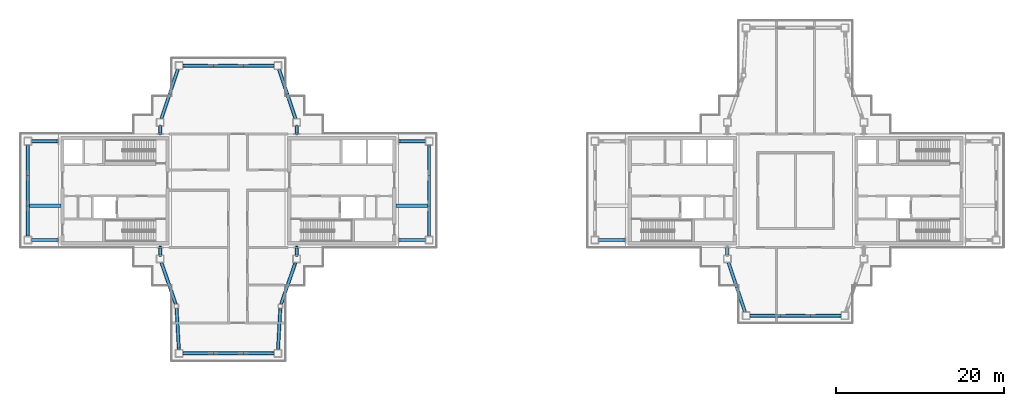
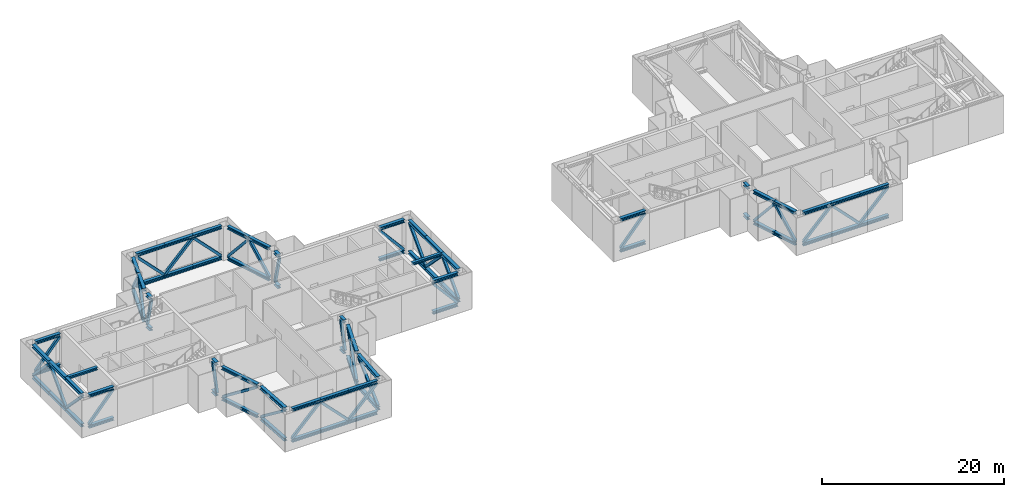
# One storey, part 3 of 18: 104 members, 2 beams.
"""IFC4 building model written with IfcOpenShell, lengths in metres."""

from ifc_helpers import new_model, si_unit, direction, frame, origin, origin_2d, place, context, subcontext, project, spatial, hollow_rectangle, i_section, extrude, material, material_profile, profile_set, type_object, element, save


model = new_model("IFC4")

# Units and contexts
model_context = context("Model", 3, precision=1e-05, world=origin(), true_north=direction((0.0, 1.0)))
body_context = subcontext(model_context, "Body", "Model", "MODEL_VIEW")
ifc_project = project(units=[si_unit("LENGTHUNIT", "METRE"), si_unit("AREAUNIT", "SQUARE_METRE"), si_unit("VOLUMEUNIT", "CUBIC_METRE"), si_unit("PLANEANGLEUNIT", "RADIAN"), si_unit("MASSUNIT", "GRAM", prefix="KILO")], contexts=[model_context])

# Site, building, storey
site_placement = place(None, origin())
site = spatial("IfcSite", under=ifc_project, at=site_placement, CompositionType="ELEMENT")
building_placement = place(site_placement, origin())
building = spatial("IfcBuilding", under=site, at=building_placement, Name="Shamsa Quay Exchange Towers", CompositionType="ELEMENT")
storey_placement = place(building_placement, frame((0.0, 0.0, 273.300048828125)))
storey = spatial("IfcBuildingStorey", under=building, at=storey_placement, Name="L66", CompositionType="ELEMENT", Elevation=273.300048828125)

# Members
ifc_material = material(Name="Steel S355", Category="steel")
ifc_material_profile_1 = material_profile(ifc_material, i_section(OverallWidth=0.40625, OverallDepth=0.416015625, WebThickness=0.02978515625, FlangeThickness=0.048095703125, at=origin_2d()), Name="W14x257")
ifc_profile_set_1 = profile_set([ifc_material_profile_1], Name="Steel S355")
member_type_1 = type_object("IfcMemberType", Name="Belt chord W14x257", PredefinedType="CHORD", material=ifc_profile_set_1)
for number, where, z_axis, x_axis, name in (
    (1, (-41.719970703125, -8.574951171875, 4.341796875), (0.32564688822, -0.945491461724, 0.0), (0.945491461724, 0.32564688822, 0.0), "Belt truss chord T1 L66 3"),
    (2, (-41.719970703125, -8.574951171875, 0.2080078125), (0.32564688822, -0.945491461724, 0.0), (0.945491461724, 0.32564688822, 0.0), "Belt truss chord T1 L66 3"),
):
    element("IfcMember", number, at=place(storey_placement, frame(where, z_axis=z_axis, x_axis=x_axis)), inside=storey, type_object=member_type_1, Name=name, PredefinedType="CHORD", context=body_context, shape_type="SweptSolid", body=[
        extrude(i_section(OverallWidth=0.40625, OverallDepth=0.416015625, WebThickness=0.02978515625, FlangeThickness=0.048095703125, at=origin_2d()), origin(), (0.0, 0.0, 1.0), 5.208984375),
    ])
for number, where, z_axis, x_axis, name in (
    (3, (-39.923583984375, -14.0, 4.341796875), (0.055483725883, -0.998459591652, 0.0), (0.998459591652, 0.055483725883, 0.0), "Belt truss chord T1 L66 4"),
    (4, (-39.923583984375, -14.0, 0.2080078125), (0.055483725883, -0.998459591652, 0.0), (0.998459591652, 0.055483725883, 0.0), "Belt truss chord T1 L66 4"),
):
    element("IfcMember", number, at=place(storey_placement, frame(where, z_axis=z_axis, x_axis=x_axis)), inside=storey, type_object=member_type_1, Name=name, PredefinedType="CHORD", context=body_context, shape_type="SweptSolid", body=[
        extrude(i_section(OverallWidth=0.40625, OverallDepth=0.416015625, WebThickness=0.02978515625, FlangeThickness=0.048095703125, at=origin_2d()), origin(), (0.0, 0.0, 1.0), 4.9326171875),
    ])
for number, where, z_axis, x_axis, name in (
    (5, (-39.175048828125, -19.375, 4.341796875), (1.0, 0.0, 0.0), (0.0, 1.0, 0.0), "Belt truss chord T1 L66 5"),
    (6, (-39.175048828125, -19.375, 0.2080078125), (1.0, 0.0, 0.0), (0.0, 1.0, 0.0), "Belt truss chord T1 L66 5"),
    (7, (-35.558349609375, -19.375, 4.341796875), (1.0, 0.0, 0.0), (0.0, 1.0, 0.0), "Belt truss chord T1 L66 5"),
    (8, (-35.558349609375, -19.375, 0.2080078125), (1.0, 0.0, 0.0), (0.0, 1.0, 0.0), "Belt truss chord T1 L66 5"),
    (9, (-31.941650390625, -19.375, 4.341796875), (1.0, 0.0, 0.0), (0.0, 1.0, 0.0), "Belt truss chord T1 L66 5"),
    (10, (-31.941650390625, -19.375, 0.2080078125), (1.0, 0.0, 0.0), (0.0, 1.0, 0.0), "Belt truss chord T1 L66 5"),
):
    element("IfcMember", number, at=place(storey_placement, frame(where, z_axis=z_axis, x_axis=x_axis)), inside=storey, type_object=member_type_1, Name=name, PredefinedType="CHORD", context=body_context, shape_type="SweptSolid", body=[
        extrude(i_section(OverallWidth=0.40625, OverallDepth=0.416015625, WebThickness=0.02978515625, FlangeThickness=0.048095703125, at=origin_2d()), origin(), (0.0, 0.0, 1.0), 3.61669921875),
    ])
for number, where, z_axis, x_axis, name in (
    (11, (-27.85009765625, -18.925048828125, 4.341796875), (0.055483725883, 0.998459591652, 0.0), (-0.998459591652, 0.055483725883, 0.0), "Belt truss chord T1 L66 6"),
    (12, (-27.85009765625, -18.925048828125, 0.2080078125), (0.055483725883, 0.998459591652, 0.0), (-0.998459591652, 0.055483725883, 0.0), "Belt truss chord T1 L66 6"),
):
    element("IfcMember", number, at=place(storey_placement, frame(where, z_axis=z_axis, x_axis=x_axis)), inside=storey, type_object=member_type_1, Name=name, PredefinedType="CHORD", context=body_context, shape_type="SweptSolid", body=[
        extrude(i_section(OverallWidth=0.40625, OverallDepth=0.416015625, WebThickness=0.02978515625, FlangeThickness=0.048095703125, at=origin_2d()), origin(), (0.0, 0.0, 1.0), 4.9326171875),
    ])
for number, where, z_axis, x_axis, name in (
    (13, (-27.476318359375, -13.5, 4.341796875), (0.32564688822, 0.945491461724, 0.0), (-0.945491461724, 0.32564688822, 0.0), "Belt truss chord T1 L66 7"),
    (14, (-27.476318359375, -13.5, 0.2080078125), (0.32564688822, 0.945491461724, 0.0), (-0.945491461724, 0.32564688822, 0.0), "Belt truss chord T1 L66 7"),
):
    element("IfcMember", number, at=place(storey_placement, frame(where, z_axis=z_axis, x_axis=x_axis)), inside=storey, type_object=member_type_1, Name=name, PredefinedType="CHORD", context=body_context, shape_type="SweptSolid", body=[
        extrude(i_section(OverallWidth=0.40625, OverallDepth=0.416015625, WebThickness=0.02978515625, FlangeThickness=0.048095703125, at=origin_2d()), origin(), (0.0, 0.0, 1.0), 5.208984375),
    ])
for number, where, z_axis, x_axis, name in (
    (15, (-9.875, -5.425048828125, 4.341796875), (0.0, 1.0, 0.0), (-1.0, 0.0, 0.0), "Belt truss chord T1 L66 10"),
    (16, (-9.875, -5.425048828125, 0.2080078125), (0.0, 1.0, 0.0), (-1.0, 0.0, 0.0), "Belt truss chord T1 L66 10"),
    (17, (-9.875, -1.808349609375, 4.341796875), (0.0, 1.0, 0.0), (-1.0, 0.0, 0.0), "Belt truss chord T1 L66 10"),
    (18, (-9.875, -1.808349609375, 0.2080078125), (0.0, 1.0, 0.0), (-1.0, 0.0, 0.0), "Belt truss chord T1 L66 10"),
    (19, (-9.875, 1.808349609375, 4.341796875), (0.0, 1.0, 0.0), (-1.0, 0.0, 0.0), "Belt truss chord T1 L66 10"),
    (20, (-9.875, 1.808349609375, 0.2080078125), (0.0, 1.0, 0.0), (-1.0, 0.0, 0.0), "Belt truss chord T1 L66 10"),
):
    element("IfcMember", number, at=place(storey_placement, frame(where, z_axis=z_axis, x_axis=x_axis)), inside=storey, type_object=member_type_1, Name=name, PredefinedType="CHORD", context=body_context, shape_type="SweptSolid", body=[
        extrude(i_section(OverallWidth=0.40625, OverallDepth=0.416015625, WebThickness=0.02978515625, FlangeThickness=0.048095703125, at=origin_2d()), origin(), (0.0, 0.0, 1.0), 3.61669921875),
    ])
for number, where, z_axis, x_axis, name in (
    (21, (-25.77490234375, 8.574951171875, 4.341796875), (-0.316251520413, 0.948675379588, 0.0), (-0.948675379588, -0.316251520413, 0.0), "Belt truss chord T1 L66 13"),
    (22, (-25.77490234375, 8.574951171875, 0.2080078125), (-0.316251520413, 0.948675379588, 0.0), (-0.948675379588, -0.316251520413, 0.0), "Belt truss chord T1 L66 13"),
    (23, (-26.75, 11.5, 4.341796875), (-0.316251520413, 0.948675379588, 0.0), (-0.948675379588, -0.316251520413, 0.0), "Belt truss chord T1 L66 13"),
    (24, (-26.75, 11.5, 0.2080078125), (-0.316251520413, 0.948675379588, 0.0), (-0.948675379588, -0.316251520413, 0.0), "Belt truss chord T1 L66 13"),
):
    element("IfcMember", number, at=place(storey_placement, frame(where, z_axis=z_axis, x_axis=x_axis)), inside=storey, type_object=member_type_1, Name=name, PredefinedType="CHORD", context=body_context, shape_type="SweptSolid", body=[
        extrude(i_section(OverallWidth=0.40625, OverallDepth=0.416015625, WebThickness=0.02978515625, FlangeThickness=0.048095703125, at=origin_2d()), origin(), (0.0, 0.0, 1.0), 3.083251953125),
    ])
for number, where, z_axis, x_axis, name in (
    (25, (-28.324951171875, 14.875, 4.341796875), (-1.0, 0.0, 0.0), (0.0, -1.0, 0.0), "Belt truss chord T1 L66 14"),
    (26, (-28.324951171875, 14.875, 0.2080078125), (-1.0, 0.0, 0.0), (0.0, -1.0, 0.0), "Belt truss chord T1 L66 14"),
    (27, (-31.941650390625, 14.875, 4.341796875), (-1.0, 0.0, 0.0), (0.0, -1.0, 0.0), "Belt truss chord T1 L66 14"),
    (28, (-31.941650390625, 14.875, 0.2080078125), (-1.0, 0.0, 0.0), (0.0, -1.0, 0.0), "Belt truss chord T1 L66 14"),
    (29, (-35.558349609375, 14.875, 4.341796875), (-1.0, 0.0, 0.0), (0.0, -1.0, 0.0), "Belt truss chord T1 L66 14"),
    (30, (-35.558349609375, 14.875, 0.2080078125), (-1.0, 0.0, 0.0), (0.0, -1.0, 0.0), "Belt truss chord T1 L66 14"),
):
    element("IfcMember", number, at=place(storey_placement, frame(where, z_axis=z_axis, x_axis=x_axis)), inside=storey, type_object=member_type_1, Name=name, PredefinedType="CHORD", context=body_context, shape_type="SweptSolid", body=[
        extrude(i_section(OverallWidth=0.40625, OverallDepth=0.416015625, WebThickness=0.02978515625, FlangeThickness=0.048095703125, at=origin_2d()), origin(), (0.0, 0.0, 1.0), 3.61669921875),
    ])
for number, where, z_axis, x_axis, name in (
    (31, (-39.77490234375, 14.425048828125, 4.341796875), (-0.316251520413, -0.948675379588, 0.0), (0.948675379588, -0.316251520413, 0.0), "Belt truss chord T1 L66 15"),
    (32, (-39.77490234375, 14.425048828125, 0.2080078125), (-0.316251520413, -0.948675379588, 0.0), (0.948675379588, -0.316251520413, 0.0), "Belt truss chord T1 L66 15"),
    (33, (-40.75, 11.5, 4.341796875), (-0.316251520413, -0.948675379588, 0.0), (0.948675379588, -0.316251520413, 0.0), "Belt truss chord T1 L66 15"),
    (34, (-40.75, 11.5, 0.2080078125), (-0.316251520413, -0.948675379588, 0.0), (0.948675379588, -0.316251520413, 0.0), "Belt truss chord T1 L66 15"),
):
    element("IfcMember", number, at=place(storey_placement, frame(where, z_axis=z_axis, x_axis=x_axis)), inside=storey, type_object=member_type_1, Name=name, PredefinedType="CHORD", context=body_context, shape_type="SweptSolid", body=[
        extrude(i_section(OverallWidth=0.40625, OverallDepth=0.416015625, WebThickness=0.02978515625, FlangeThickness=0.048095703125, at=origin_2d()), origin(), (0.0, 0.0, 1.0), 3.083251953125),
    ])
for number, where, z_axis, x_axis, name in (
    (35, (-57.625, 5.425048828125, 4.341796875), (0.0, -1.0, 0.0), (1.0, 0.0, 0.0), "Belt truss chord T1 L66 18"),
    (36, (-57.625, 5.425048828125, 0.2080078125), (0.0, -1.0, 0.0), (1.0, 0.0, 0.0), "Belt truss chord T1 L66 18"),
    (37, (-57.625, 1.808349609375, 4.341796875), (0.0, -1.0, 0.0), (1.0, 0.0, 0.0), "Belt truss chord T1 L66 18"),
    (38, (-57.625, 1.808349609375, 0.2080078125), (0.0, -1.0, 0.0), (1.0, 0.0, 0.0), "Belt truss chord T1 L66 18"),
    (39, (-57.625, -1.808349609375, 4.341796875), (0.0, -1.0, 0.0), (1.0, 0.0, 0.0), "Belt truss chord T1 L66 18"),
    (40, (-57.625, -1.808349609375, 0.2080078125), (0.0, -1.0, 0.0), (1.0, 0.0, 0.0), "Belt truss chord T1 L66 18"),
):
    element("IfcMember", number, at=place(storey_placement, frame(where, z_axis=z_axis, x_axis=x_axis)), inside=storey, type_object=member_type_1, Name=name, PredefinedType="CHORD", context=body_context, shape_type="SweptSolid", body=[
        extrude(i_section(OverallWidth=0.40625, OverallDepth=0.416015625, WebThickness=0.02978515625, FlangeThickness=0.048095703125, at=origin_2d()), origin(), (0.0, 0.0, 1.0), 3.61669921875),
    ])
for number, where, z_axis, x_axis, name in (
    (41, (25.77490234375, -8.574951171875, 4.341796875), (0.316251520413, -0.948675379588, 0.0), (0.948675379588, 0.316251520413, 0.0), "Belt truss chord T2 L66 3"),
    (42, (25.77490234375, -8.574951171875, 0.2080078125), (0.316251520413, -0.948675379588, 0.0), (0.948675379588, 0.316251520413, 0.0), "Belt truss chord T2 L66 3"),
    (43, (26.75, -11.5, 4.341796875), (0.316251520413, -0.948675379588, 0.0), (0.948675379588, 0.316251520413, 0.0), "Belt truss chord T2 L66 3"),
    (44, (26.75, -11.5, 0.2080078125), (0.316251520413, -0.948675379588, 0.0), (0.948675379588, 0.316251520413, 0.0), "Belt truss chord T2 L66 3"),
):
    element("IfcMember", number, at=place(storey_placement, frame(where, z_axis=z_axis, x_axis=x_axis)), inside=storey, type_object=member_type_1, Name=name, PredefinedType="CHORD", context=body_context, shape_type="SweptSolid", body=[
        extrude(i_section(OverallWidth=0.40625, OverallDepth=0.416015625, WebThickness=0.02978515625, FlangeThickness=0.048095703125, at=origin_2d()), origin(), (0.0, 0.0, 1.0), 3.083251953125),
    ])
for number, where, z_axis, x_axis, name in (
    (45, (28.324951171875, -14.875, 4.341796875), (1.0, 0.0, 0.0), (0.0, 1.0, 0.0), "Belt truss chord T2 L66 4"),
    (46, (28.324951171875, -14.875, 0.2080078125), (1.0, 0.0, 0.0), (0.0, 1.0, 0.0), "Belt truss chord T2 L66 4"),
    (47, (31.941650390625, -14.875, 4.341796875), (1.0, 0.0, 0.0), (0.0, 1.0, 0.0), "Belt truss chord T2 L66 4"),
    (48, (31.941650390625, -14.875, 0.2080078125), (1.0, 0.0, 0.0), (0.0, 1.0, 0.0), "Belt truss chord T2 L66 4"),
    (49, (35.558349609375, -14.875, 4.341796875), (1.0, 0.0, 0.0), (0.0, 1.0, 0.0), "Belt truss chord T2 L66 4"),
    (50, (35.558349609375, -14.875, 0.2080078125), (1.0, 0.0, 0.0), (0.0, 1.0, 0.0), "Belt truss chord T2 L66 4"),
):
    element("IfcMember", number, at=place(storey_placement, frame(where, z_axis=z_axis, x_axis=x_axis)), inside=storey, type_object=member_type_1, Name=name, PredefinedType="CHORD", context=body_context, shape_type="SweptSolid", body=[
        extrude(i_section(OverallWidth=0.40625, OverallDepth=0.416015625, WebThickness=0.02978515625, FlangeThickness=0.048095703125, at=origin_2d()), origin(), (0.0, 0.0, 1.0), 3.61669921875),
    ])
ifc_material_profile_2 = material_profile(ifc_material, hollow_rectangle(XDim=0.3046875, YDim=0.3046875, WallThickness=0.0126953125, at=origin_2d()), Name="HSS12x12x1/2")
ifc_profile_set_2 = profile_set([ifc_material_profile_2], Name="Steel S355")
member_type_2 = type_object("IfcMemberType", Name="Belt diagonal HSS12x12x1/2", PredefinedType="BRACE", material=ifc_profile_set_2)
member_1_placement = place(storey_placement, frame((-41.663330078125, -8.7392578125, 0.5400390625), z_axis=(0.265044319858, -0.769585041637, 0.580939215581), x_axis=(0.94549779592, 0.325628496773, 0.0)))
element("IfcMember", 51, at=member_1_placement, inside=storey, type_object=member_type_2, Name="Belt truss diagonal T1 L66 3", PredefinedType="BRACE", context=body_context, shape_type="SweptSolid", body=[
    extrude(hollow_rectangle(XDim=0.3046875, YDim=0.3046875, WallThickness=0.0126953125, at=origin_2d()), origin(), (0.0, 0.0, 1.0), 5.97265625),
])
member_2_placement = place(storey_placement, frame((-39.91455078125, -14.1611328125, 0.537841796875), z_axis=(0.044282768732, -0.797343606615, 0.601898836502), x_axis=(0.998461330832, 0.055452419551, 0.0)))
element("IfcMember", 52, at=member_2_placement, inside=storey, type_object=member_type_2, Name="Belt truss diagonal T1 L66 4", PredefinedType="BRACE", context=body_context, shape_type="SweptSolid", body=[
    extrude(hollow_rectangle(XDim=0.3046875, YDim=0.3046875, WallThickness=0.0126953125, at=origin_2d()), origin(), (0.0, 0.0, 1.0), 5.7724609375),
])
for number, where, z_axis, x_axis, name in (
    (53, (-39.071533203125, -19.375, 0.522216796875), (0.697279405887, 0.0, 0.716799435077), (0.0, 1.0, 0.0), "Belt truss diagonal T1 L66 5"),
    (54, (-32.044921875, -19.375, 0.522216796875), (-0.697305055235, 0.0, 0.716774483324), (0.0, -1.0, 0.0), "Belt truss diagonal T1 L66 5"),
    (55, (-31.83837890625, -19.375, 0.522216796875), (0.697279405887, 0.0, 0.716799435077), (0.0, 1.0, 0.0), "Belt truss diagonal T1 L66 5"),
):
    element("IfcMember", number, at=place(storey_placement, frame(where, z_axis=z_axis, x_axis=x_axis)), inside=storey, type_object=member_type_2, Name=name, PredefinedType="BRACE", context=body_context, shape_type="SweptSolid", body=[
        extrude(hollow_rectangle(XDim=0.3046875, YDim=0.3046875, WallThickness=0.0126953125, at=origin_2d()), origin(), (0.0, 0.0, 1.0), 4.890380859375),
    ])
member_3_placement = place(storey_placement, frame((-27.841064453125, -18.763671875, 0.537841796875), z_axis=(0.044282768732, 0.797343606615, 0.601898836502), x_axis=(-0.998461330832, 0.055452419551, 0.0)))
element("IfcMember", 56, at=member_3_placement, inside=storey, type_object=member_type_2, Name="Belt truss diagonal T1 L66 6", PredefinedType="BRACE", context=body_context, shape_type="SweptSolid", body=[
    extrude(hollow_rectangle(XDim=0.3046875, YDim=0.3046875, WallThickness=0.0126953125, at=origin_2d()), origin(), (0.0, 0.0, 1.0), 5.7724609375),
])
member_4_placement = place(storey_placement, frame((-27.419677734375, -13.335693359375, 0.5400390625), z_axis=(0.265044319858, 0.769585041637, 0.580939215581), x_axis=(-0.94549779592, 0.325628496773, 0.0)))
element("IfcMember", 57, at=member_4_placement, inside=storey, type_object=member_type_2, Name="Belt truss diagonal T1 L66 7", PredefinedType="BRACE", context=body_context, shape_type="SweptSolid", body=[
    extrude(hollow_rectangle(XDim=0.3046875, YDim=0.3046875, WallThickness=0.0126953125, at=origin_2d()), origin(), (0.0, 0.0, 1.0), 5.97265625),
])
for number, where, z_axis, x_axis, name in (
    (58, (-9.875, -5.321533203125, 0.522216796875), (0.0, 0.697279405887, 0.716799435077), (-1.0, 0.0, 0.0), "Belt truss diagonal T1 L66 10"),
    (59, (-9.875, 1.705078125, 0.522216796875), (0.0, -0.697305055235, 0.716774483324), (1.0, 0.0, 0.0), "Belt truss diagonal T1 L66 10"),
    (60, (-9.875, 1.91162109375, 0.522216796875), (0.0, 0.697279405887, 0.716799435077), (-1.0, 0.0, 0.0), "Belt truss diagonal T1 L66 10"),
):
    element("IfcMember", number, at=place(storey_placement, frame(where, z_axis=z_axis, x_axis=x_axis)), inside=storey, type_object=member_type_2, Name=name, PredefinedType="BRACE", context=body_context, shape_type="SweptSolid", body=[
        extrude(hollow_rectangle(XDim=0.3046875, YDim=0.3046875, WallThickness=0.0126953125, at=origin_2d()), origin(), (0.0, 0.0, 1.0), 4.890380859375),
    ])
for number, where, z_axis, x_axis, name in (
    (61, (-25.800537109375, 8.651611328125, 0.513427734375), (-0.20184189076, 0.605579013161, 0.769762242484), (-0.948691654027, -0.316202696982, 0.0), "Belt truss diagonal T1 L66 13"),
    (62, (-27.699462890625, 14.348388671875, 0.513427734375), (0.20184189076, -0.605579013161, 0.769762242484), (0.948691654027, 0.316202696982, 0.0), "Belt truss diagonal T1 L66 13"),
):
    element("IfcMember", number, at=place(storey_placement, frame(where, z_axis=z_axis, x_axis=x_axis)), inside=storey, type_object=member_type_2, Name=name, PredefinedType="BRACE", context=body_context, shape_type="SweptSolid", body=[
        extrude(hollow_rectangle(XDim=0.3046875, YDim=0.3046875, WallThickness=0.0126953125, at=origin_2d()), origin(), (0.0, 0.0, 1.0), 4.576904296875),
    ])
for number, where, z_axis, x_axis, name in (
    (63, (-28.428466796875, 14.875, 0.522216796875), (-0.697279405887, 0.0, 0.716799435077), (0.0, -1.0, 0.0), "Belt truss diagonal T1 L66 14"),
    (64, (-35.455078125, 14.875, 0.522216796875), (0.697305055235, 0.0, 0.716774483324), (0.0, 1.0, 0.0), "Belt truss diagonal T1 L66 14"),
    (65, (-35.66162109375, 14.875, 0.522216796875), (-0.697279405887, 0.0, 0.716799435077), (0.0, -1.0, 0.0), "Belt truss diagonal T1 L66 14"),
):
    element("IfcMember", number, at=place(storey_placement, frame(where, z_axis=z_axis, x_axis=x_axis)), inside=storey, type_object=member_type_2, Name=name, PredefinedType="BRACE", context=body_context, shape_type="SweptSolid", body=[
        extrude(hollow_rectangle(XDim=0.3046875, YDim=0.3046875, WallThickness=0.0126953125, at=origin_2d()), origin(), (0.0, 0.0, 1.0), 4.890380859375),
    ])
for number, where, z_axis, x_axis, name in (
    (66, (-39.800537109375, 14.348388671875, 0.513427734375), (-0.20184189076, -0.605579013161, 0.769762242484), (0.948691654027, -0.316202696982, 0.0), "Belt truss diagonal T1 L66 15"),
    (67, (-41.699462890625, 8.651611328125, 0.513427734375), (0.20184189076, 0.605579013161, 0.769762242484), (-0.948691654027, 0.316202696982, 0.0), "Belt truss diagonal T1 L66 15"),
):
    element("IfcMember", number, at=place(storey_placement, frame(where, z_axis=z_axis, x_axis=x_axis)), inside=storey, type_object=member_type_2, Name=name, PredefinedType="BRACE", context=body_context, shape_type="SweptSolid", body=[
        extrude(hollow_rectangle(XDim=0.3046875, YDim=0.3046875, WallThickness=0.0126953125, at=origin_2d()), origin(), (0.0, 0.0, 1.0), 4.576904296875),
    ])
for number, where, z_axis, x_axis, name in (
    (68, (-57.625, 5.321533203125, 0.522216796875), (0.0, -0.697279405887, 0.716799435077), (1.0, 0.0, 0.0), "Belt truss diagonal T1 L66 18"),
    (69, (-57.625, -1.705078125, 0.522216796875), (0.0, 0.697305055235, 0.716774483324), (-1.0, 0.0, 0.0), "Belt truss diagonal T1 L66 18"),
    (70, (-57.625, -1.91162109375, 0.522216796875), (0.0, -0.697279405887, 0.716799435077), (1.0, 0.0, 0.0), "Belt truss diagonal T1 L66 18"),
):
    element("IfcMember", number, at=place(storey_placement, frame(where, z_axis=z_axis, x_axis=x_axis)), inside=storey, type_object=member_type_2, Name=name, PredefinedType="BRACE", context=body_context, shape_type="SweptSolid", body=[
        extrude(hollow_rectangle(XDim=0.3046875, YDim=0.3046875, WallThickness=0.0126953125, at=origin_2d()), origin(), (0.0, 0.0, 1.0), 4.890380859375),
    ])
for number, where, z_axis, x_axis, name in (
    (71, (25.800537109375, -8.651611328125, 0.513427734375), (0.20184189076, -0.605579013161, 0.769762242484), (0.948691654027, 0.316202696982, 0.0), "Belt truss diagonal T2 L66 3"),
    (72, (27.699462890625, -14.348388671875, 0.513427734375), (-0.20184189076, 0.605579013161, 0.769762242484), (-0.948691654027, -0.316202696982, 0.0), "Belt truss diagonal T2 L66 3"),
):
    element("IfcMember", number, at=place(storey_placement, frame(where, z_axis=z_axis, x_axis=x_axis)), inside=storey, type_object=member_type_2, Name=name, PredefinedType="BRACE", context=body_context, shape_type="SweptSolid", body=[
        extrude(hollow_rectangle(XDim=0.3046875, YDim=0.3046875, WallThickness=0.0126953125, at=origin_2d()), origin(), (0.0, 0.0, 1.0), 4.576904296875),
    ])
for number, where, z_axis, x_axis, name in (
    (73, (28.428466796875, -14.875, 0.522216796875), (0.697279405887, 0.0, 0.716799435077), (0.0, 1.0, 0.0), "Belt truss diagonal T2 L66 4"),
    (74, (35.455078125, -14.875, 0.522216796875), (-0.697305055235, 0.0, 0.716774483324), (0.0, -1.0, 0.0), "Belt truss diagonal T2 L66 4"),
    (75, (35.66162109375, -14.875, 0.522216796875), (0.697279405887, 0.0, 0.716799435077), (0.0, 1.0, 0.0), "Belt truss diagonal T2 L66 4"),
):
    element("IfcMember", number, at=place(storey_placement, frame(where, z_axis=z_axis, x_axis=x_axis)), inside=storey, type_object=member_type_2, Name=name, PredefinedType="BRACE", context=body_context, shape_type="SweptSolid", body=[
        extrude(hollow_rectangle(XDim=0.3046875, YDim=0.3046875, WallThickness=0.0126953125, at=origin_2d()), origin(), (0.0, 0.0, 1.0), 4.890380859375),
    ])

# Beams
ifc_material_profile_3 = material_profile(ifc_material, i_section(OverallWidth=0.368896484375, OverallDepth=0.356201171875, WebThickness=0.01123046875, FlangeThickness=0.01806640625, at=origin_2d()), Name="W14x90")
ifc_profile_set_3 = profile_set([ifc_material_profile_3], Name="Steel S355")
beam_type = type_object("IfcBeamType", Name="End-zone beam W14x90", PredefinedType="BEAM", material=ifc_profile_set_3)
for number, where, z_axis, x_axis, name in (
    (76, (-13.800048828125, -1.800048828125, 4.371826171875), (1.0, 0.0, 0.0), (0.0, 1.0, 0.0), "Spine beam T1 U+ end zone L66"),
    (77, (-53.699951171875, -1.800048828125, 4.371826171875), (-1.0, 0.0, 0.0), (0.0, -1.0, 0.0), "Spine beam T1 U- end zone L66"),
):
    element("IfcBeam", number, at=place(storey_placement, frame(where, z_axis=z_axis, x_axis=x_axis)), inside=storey, type_object=beam_type, Name=name, PredefinedType="BEAM", context=body_context, shape_type="SweptSolid", body=[
        extrude(i_section(OverallWidth=0.368896484375, OverallDepth=0.356201171875, WebThickness=0.01123046875, FlangeThickness=0.01806640625, at=origin_2d()), origin(), (0.0, 0.0, 1.0), 3.721923828125),
    ])

# Members
ifc_material_profile_4 = material_profile(ifc_material, i_section(OverallWidth=0.40625, OverallDepth=0.416015625, WebThickness=0.02978515625, FlangeThickness=0.048095703125, at=origin_2d()), Name="W14x257")
ifc_profile_set_4 = profile_set([ifc_material_profile_4], Name="Steel S355")
member_type_3 = type_object("IfcMemberType", Name="Outrigger chord W14x257", PredefinedType="CHORD", material=ifc_profile_set_4)
for number, where, z_axis, x_axis, name in (
    (78, (-57.175048828125, -5.875, 4.341796875), (1.0, 0.0, 0.0), (0.0, 1.0, 0.0), "Outrigger truss chord T1 L66 1"),
    (79, (-57.175048828125, -5.875, 0.2080078125), (1.0, 0.0, 0.0), (0.0, 1.0, 0.0), "Outrigger truss chord T1 L66 1"),
):
    element("IfcMember", number, at=place(storey_placement, frame(where, z_axis=z_axis, x_axis=x_axis)), inside=storey, type_object=member_type_3, Name=name, PredefinedType="CHORD", context=body_context, shape_type="SweptSolid", body=[
        extrude(i_section(OverallWidth=0.40625, OverallDepth=0.416015625, WebThickness=0.02978515625, FlangeThickness=0.048095703125, at=origin_2d()), origin(), (0.0, 0.0, 1.0), 3.175048828125),
    ])
for number, where, z_axis, x_axis, name in (
    (80, (-41.875, -7.675048828125, 4.341796875), (0.0, 1.0, 0.0), (-1.0, 0.0, 0.0), "Outrigger truss chord T1 L66 2"),
    (81, (-41.875, -7.675048828125, 0.2080078125), (0.0, 1.0, 0.0), (-1.0, 0.0, 0.0), "Outrigger truss chord T1 L66 2"),
    (82, (-25.625, -7.675048828125, 4.341796875), (0.0, 1.0, 0.0), (-1.0, 0.0, 0.0), "Outrigger truss chord T1 L66 8"),
    (83, (-25.625, -7.675048828125, 0.2080078125), (0.0, 1.0, 0.0), (-1.0, 0.0, 0.0), "Outrigger truss chord T1 L66 8"),
):
    element("IfcMember", number, at=place(storey_placement, frame(where, z_axis=z_axis, x_axis=x_axis)), inside=storey, type_object=member_type_3, Name=name, PredefinedType="CHORD", context=body_context, shape_type="SweptSolid", body=[
        extrude(i_section(OverallWidth=0.40625, OverallDepth=0.416015625, WebThickness=0.02978515625, FlangeThickness=0.048095703125, at=origin_2d()), origin(), (0.0, 0.0, 1.0), 0.925048828125),
    ])
for number, where, z_axis, x_axis, name in (
    (84, (-10.324951171875, -5.875, 4.341796875), (-1.0, 0.0, 0.0), (0.0, -1.0, 0.0), "Outrigger truss chord T1 L66 9"),
    (85, (-10.324951171875, -5.875, 0.2080078125), (-1.0, 0.0, 0.0), (0.0, -1.0, 0.0), "Outrigger truss chord T1 L66 9"),
    (86, (-10.324951171875, 5.875, 4.341796875), (-1.0, 0.0, 0.0), (0.0, -1.0, 0.0), "Outrigger truss chord T1 L66 11"),
    (87, (-10.324951171875, 5.875, 0.2080078125), (-1.0, 0.0, 0.0), (0.0, -1.0, 0.0), "Outrigger truss chord T1 L66 11"),
):
    element("IfcMember", number, at=place(storey_placement, frame(where, z_axis=z_axis, x_axis=x_axis)), inside=storey, type_object=member_type_3, Name=name, PredefinedType="CHORD", context=body_context, shape_type="SweptSolid", body=[
        extrude(i_section(OverallWidth=0.40625, OverallDepth=0.416015625, WebThickness=0.02978515625, FlangeThickness=0.048095703125, at=origin_2d()), origin(), (0.0, 0.0, 1.0), 3.175048828125),
    ])
for number, where, z_axis, x_axis, name in (
    (88, (-25.625, 7.675048828125, 4.341796875), (0.0, -1.0, 0.0), (1.0, 0.0, 0.0), "Outrigger truss chord T1 L66 12"),
    (89, (-25.625, 7.675048828125, 0.2080078125), (0.0, -1.0, 0.0), (1.0, 0.0, 0.0), "Outrigger truss chord T1 L66 12"),
    (90, (-41.875, 7.675048828125, 4.341796875), (0.0, -1.0, 0.0), (1.0, 0.0, 0.0), "Outrigger truss chord T1 L66 16"),
    (91, (-41.875, 7.675048828125, 0.2080078125), (0.0, -1.0, 0.0), (1.0, 0.0, 0.0), "Outrigger truss chord T1 L66 16"),
):
    element("IfcMember", number, at=place(storey_placement, frame(where, z_axis=z_axis, x_axis=x_axis)), inside=storey, type_object=member_type_3, Name=name, PredefinedType="CHORD", context=body_context, shape_type="SweptSolid", body=[
        extrude(i_section(OverallWidth=0.40625, OverallDepth=0.416015625, WebThickness=0.02978515625, FlangeThickness=0.048095703125, at=origin_2d()), origin(), (0.0, 0.0, 1.0), 0.925048828125),
    ])
for number, where, z_axis, x_axis, name in (
    (92, (-57.175048828125, 5.875, 4.341796875), (1.0, 0.0, 0.0), (0.0, 1.0, 0.0), "Outrigger truss chord T1 L66 17"),
    (93, (-57.175048828125, 5.875, 0.2080078125), (1.0, 0.0, 0.0), (0.0, 1.0, 0.0), "Outrigger truss chord T1 L66 17"),
    (94, (10.324951171875, -5.875, 4.341796875), (1.0, 0.0, 0.0), (0.0, 1.0, 0.0), "Outrigger truss chord T2 L66 1"),
    (95, (10.324951171875, -5.875, 0.2080078125), (1.0, 0.0, 0.0), (0.0, 1.0, 0.0), "Outrigger truss chord T2 L66 1"),
):
    element("IfcMember", number, at=place(storey_placement, frame(where, z_axis=z_axis, x_axis=x_axis)), inside=storey, type_object=member_type_3, Name=name, PredefinedType="CHORD", context=body_context, shape_type="SweptSolid", body=[
        extrude(i_section(OverallWidth=0.40625, OverallDepth=0.416015625, WebThickness=0.02978515625, FlangeThickness=0.048095703125, at=origin_2d()), origin(), (0.0, 0.0, 1.0), 3.175048828125),
    ])
for number, where, z_axis, x_axis, name in (
    (96, (25.625, -7.675048828125, 4.341796875), (0.0, 1.0, 0.0), (-1.0, 0.0, 0.0), "Outrigger truss chord T2 L66 2"),
    (97, (25.625, -7.675048828125, 0.2080078125), (0.0, 1.0, 0.0), (-1.0, 0.0, 0.0), "Outrigger truss chord T2 L66 2"),
):
    element("IfcMember", number, at=place(storey_placement, frame(where, z_axis=z_axis, x_axis=x_axis)), inside=storey, type_object=member_type_3, Name=name, PredefinedType="CHORD", context=body_context, shape_type="SweptSolid", body=[
        extrude(i_section(OverallWidth=0.40625, OverallDepth=0.416015625, WebThickness=0.02978515625, FlangeThickness=0.048095703125, at=origin_2d()), origin(), (0.0, 0.0, 1.0), 0.925048828125),
    ])
ifc_material_profile_5 = material_profile(ifc_material, hollow_rectangle(XDim=0.3046875, YDim=0.3046875, WallThickness=0.0126953125, at=origin_2d()), Name="HSS12x12x1/2")
ifc_profile_set_5 = profile_set([ifc_material_profile_5], Name="Steel S355")
member_type_4 = type_object("IfcMemberType", Name="Outrigger diagonal HSS12x12x1/2", PredefinedType="BRACE", material=ifc_profile_set_5)
member_5_placement = place(storey_placement, frame((-57.090576171875, -5.875, 0.51513671875), z_axis=(0.64943947107, 0.0, 0.760413291189), x_axis=(0.0, 1.0, 0.0)))
element("IfcMember", 98, at=member_5_placement, inside=storey, type_object=member_type_4, Name="Outrigger truss diagonal T1 L66 1", PredefinedType="BRACE", context=body_context, shape_type="SweptSolid", body=[
    extrude(hollow_rectangle(XDim=0.3046875, YDim=0.3046875, WallThickness=0.0126953125, at=origin_2d()), origin(), (0.0, 0.0, 1.0), 4.628662109375),
])
for number, where, z_axis, x_axis, name in (
    (99, (-41.875, -7.665771484375, 0.452880859375), (0.0, 0.24144941342, 0.970413407141), (-1.0, 0.0, 0.0), "Outrigger truss diagonal T1 L66 2"),
    (100, (-25.625, -7.665771484375, 0.452880859375), (0.0, 0.24144941342, 0.970413407141), (-1.0, 0.0, 0.0), "Outrigger truss diagonal T1 L66 8"),
):
    element("IfcMember", number, at=place(storey_placement, frame(where, z_axis=z_axis, x_axis=x_axis)), inside=storey, type_object=member_type_4, Name=name, PredefinedType="BRACE", context=body_context, shape_type="SweptSolid", body=[
        extrude(hollow_rectangle(XDim=0.3046875, YDim=0.3046875, WallThickness=0.0126953125, at=origin_2d()), origin(), (0.0, 0.0, 1.0), 3.75537109375),
    ])
for number, where, z_axis, x_axis, name in (
    (101, (-10.409423828125, -5.875, 0.51513671875), (-0.64943947107, 0.0, 0.760413291189), (0.0, -1.0, 0.0), "Outrigger truss diagonal T1 L66 9"),
    (102, (-10.409423828125, 5.875, 0.51513671875), (-0.64943947107, 0.0, 0.760413291189), (0.0, -1.0, 0.0), "Outrigger truss diagonal T1 L66 11"),
):
    element("IfcMember", number, at=place(storey_placement, frame(where, z_axis=z_axis, x_axis=x_axis)), inside=storey, type_object=member_type_4, Name=name, PredefinedType="BRACE", context=body_context, shape_type="SweptSolid", body=[
        extrude(hollow_rectangle(XDim=0.3046875, YDim=0.3046875, WallThickness=0.0126953125, at=origin_2d()), origin(), (0.0, 0.0, 1.0), 4.628662109375),
    ])
for number, where, z_axis, x_axis, name in (
    (103, (-25.625, 7.665771484375, 0.452880859375), (0.0, -0.24144941342, 0.970413407141), (1.0, 0.0, 0.0), "Outrigger truss diagonal T1 L66 12"),
    (104, (-41.875, 7.665771484375, 0.452880859375), (0.0, -0.24144941342, 0.970413407141), (1.0, 0.0, 0.0), "Outrigger truss diagonal T1 L66 16"),
):
    element("IfcMember", number, at=place(storey_placement, frame(where, z_axis=z_axis, x_axis=x_axis)), inside=storey, type_object=member_type_4, Name=name, PredefinedType="BRACE", context=body_context, shape_type="SweptSolid", body=[
        extrude(hollow_rectangle(XDim=0.3046875, YDim=0.3046875, WallThickness=0.0126953125, at=origin_2d()), origin(), (0.0, 0.0, 1.0), 3.75537109375),
    ])
for number, where, z_axis, x_axis, name in (
    (105, (-57.090576171875, 5.875, 0.51513671875), (0.64943947107, 0.0, 0.760413291189), (0.0, 1.0, 0.0), "Outrigger truss diagonal T1 L66 17"),
    (106, (10.409423828125, -5.875, 0.51513671875), (0.64943947107, 0.0, 0.760413291189), (0.0, 1.0, 0.0), "Outrigger truss diagonal T2 L66 1"),
):
    element("IfcMember", number, at=place(storey_placement, frame(where, z_axis=z_axis, x_axis=x_axis)), inside=storey, type_object=member_type_4, Name=name, PredefinedType="BRACE", context=body_context, shape_type="SweptSolid", body=[
        extrude(hollow_rectangle(XDim=0.3046875, YDim=0.3046875, WallThickness=0.0126953125, at=origin_2d()), origin(), (0.0, 0.0, 1.0), 4.628662109375),
    ])

save(model, "model.ifc")
